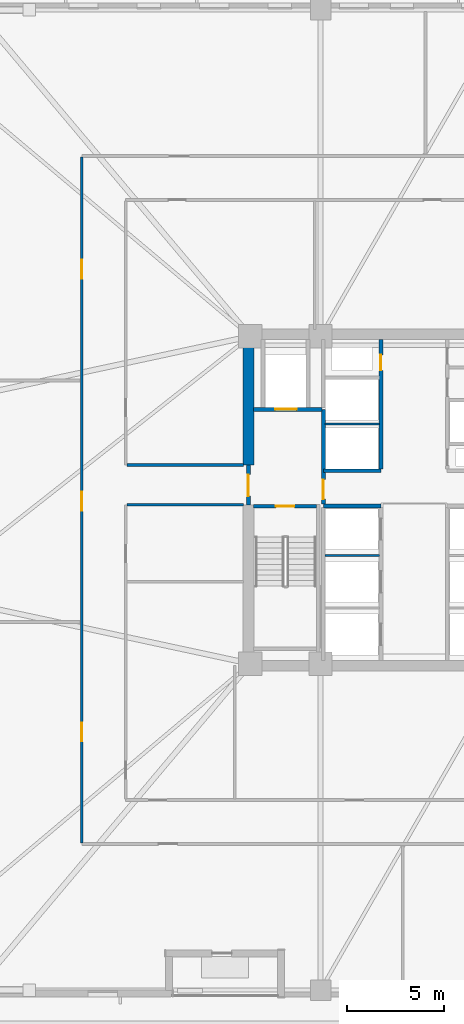
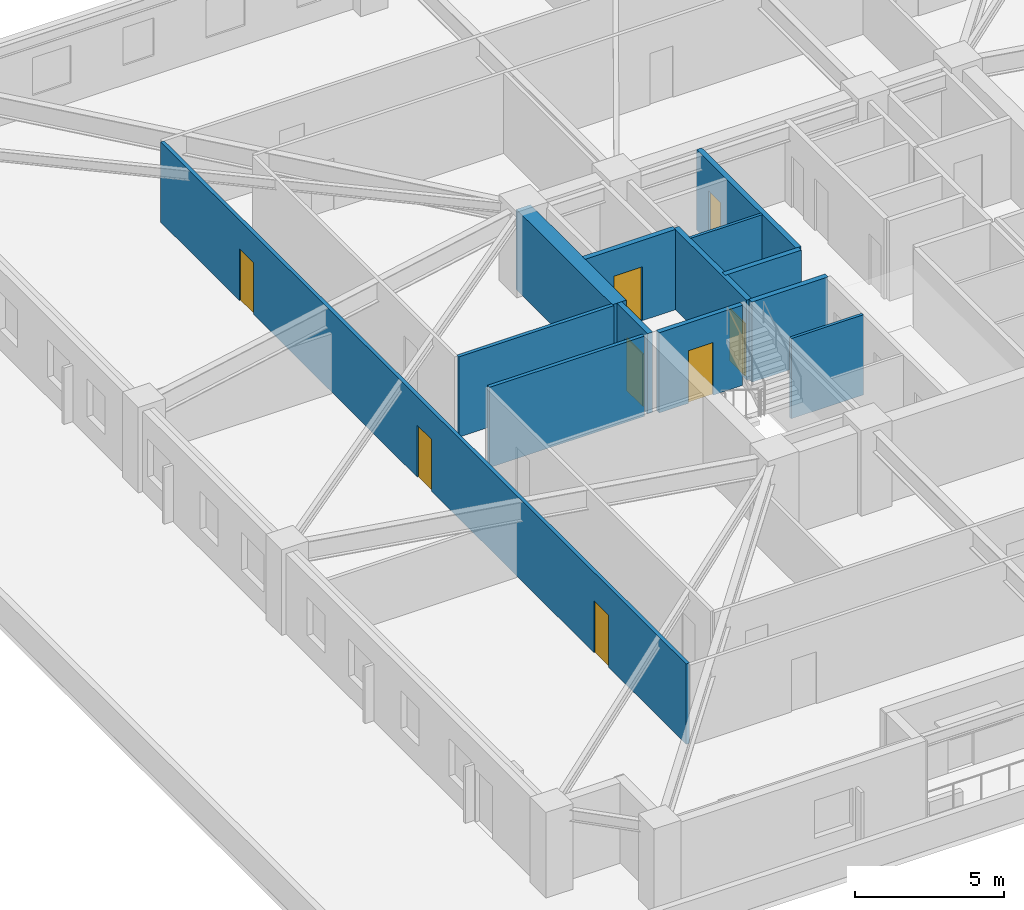
# One storey, part 3 of 12: 13 walls, 8 doors, 8 openings.
"""IFC4 building model written with IfcOpenShell, lengths in metres."""

from ifc_helpers import new_model, si_unit, direction, frame, frame_2d, origin, place, context, subcontext, project, spatial, rectangle, extrude, material, layer, layer_set, type_object, element, fill, save


model = new_model("IFC4")

# Units and contexts
model_context = context("Model", 3, precision=1e-05, world=origin(), true_north=direction((0.0, 1.0)))
body_context = subcontext(model_context, "Body", "Model", "MODEL_VIEW")
ifc_project = project(units=[si_unit("LENGTHUNIT", "METRE"), si_unit("AREAUNIT", "SQUARE_METRE"), si_unit("VOLUMEUNIT", "CUBIC_METRE"), si_unit("PLANEANGLEUNIT", "RADIAN"), si_unit("MASSUNIT", "GRAM", prefix="KILO")], contexts=[model_context])

# Site, building, storey
site_placement = place(None, origin())
site = spatial("IfcSite", under=ifc_project, at=site_placement, CompositionType="ELEMENT")
building_placement = place(site_placement, origin())
building = spatial("IfcBuilding", under=site, at=building_placement, Name="Cairnveth Concourse Tower", CompositionType="ELEMENT")
storey_placement = place(building_placement, frame((0.0, 0.0, 23.5)))
storey = spatial("IfcBuildingStorey", under=building, at=storey_placement, Name="L05", CompositionType="ELEMENT", Elevation=23.5)

# Wall
ifc_material_1 = material(Name="Concrete N80 (80 MPa)", Category="concrete")
ifc_layer_1 = layer(ifc_material_1, 0.550048828125)
ifc_layer_set_1 = layer_set([ifc_layer_1], Name="Concrete N80 (80 MPa)")
wall_type_1 = type_object("IfcWallType", Name="CORE SHEAR WALL 550", PredefinedType="SHEAR", material=ifc_layer_set_1)
wall_1_placement = place(storey_placement, frame((43.5, 40.800048828125, 0.0), z_axis=(0.0, 0.0, 1.0), x_axis=(0.0, 1.0, 0.0)))
element("IfcWall", 1, at=wall_1_placement, inside=storey, type_object=wall_type_1, Name="Core West Shear Wall N L05", PredefinedType="SHEAR", context=body_context, shape_type="SweptSolid", body=[
    extrude(rectangle(XDim=6.43505859375, YDim=0.550048828125, at=frame_2d((3.217529296875, 0.0))), origin(), (0.0, 0.0, 1.0), 3.280029296875),
])

# Wall, opening, door
ifc_material_2 = material(Name="Concrete N50 (50 MPa)", Category="concrete")
ifc_layer_2 = layer(ifc_material_2, 0.179931640625)
ifc_layer_set_2 = layer_set([ifc_layer_2], Name="Concrete N50 (50 MPa)")
wall_type_2 = type_object("IfcWallType", Name="FIRE SHAFT WALL 180", PredefinedType="SOLIDWALL", material=ifc_layer_set_2)
wall_2_placement = place(storey_placement, frame((43.764892578125, 38.68994140625, 0.0), z_axis=(0.0, 0.0, 1.0), x_axis=(1.0, 0.0, 0.0)))
wall_2 = element("IfcWall", 2, at=wall_2_placement, inside=storey, type_object=wall_type_2, Name="Stair ST-1 Shaft Wall NEAR L05", PredefinedType="SOLIDWALL", context=body_context, shape_type="SweptSolid", body=[
    extrude(rectangle(XDim=3.230224609375, YDim=0.179931640625, at=frame_2d((1.615234375, 0.0))), origin(), (0.0, 0.0, 1.0), 3.280029296875),
])
opening_1_placement = place(wall_2_placement, frame((1.139892578125, 0.0, 0.0)))
opening_1 = element("IfcOpeningElement", 3, at=opening_1_placement, cuts=wall_2, Name="Opening ID12", PredefinedType="OPENING", context=body_context, shape_type="SweptSolid", body=[
    extrude(rectangle(XDim=0.949951171875, YDim=2.14990234375, at=frame_2d((0.47509765625, 1.074951171875))), frame((0.0, 0.099853515625, 0.0), z_axis=(0.0, -1.0, 0.0), x_axis=(1.0, 0.0, 0.0)), (0.0, 0.0, 1.0), 0.199951171875),
])
ifc_material_3 = material(Name="Steel Grade 350", Category="steel")
door_type_1 = type_object("IfcDoorType", Name="FIRE STAIR DOOR 950X2150", OperationType="NOTDEFINED", PredefinedType="DOOR", material=ifc_material_3)
door_1_placement = place(opening_1_placement, origin())
door_1 = element("IfcDoor", 4, at=door_1_placement, inside=storey, type_object=door_type_1, Name="Stair ST-1 Fire Door L05", OperationType="SINGLE_SWING_LEFT", OverallHeight=2.14990234375, OverallWidth=0.949951171875, PredefinedType="DOOR", context=body_context, shape_type="SweptSolid", body=[
    extrude(rectangle(XDim=0.949951171875, YDim=2.14990234375, at=frame_2d((0.47509765625, 1.074951171875))), frame((0.0, 0.02490234375, 0.0), z_axis=(0.0, -1.0, 0.0), x_axis=(1.0, 0.0, 0.0)), (0.0, 0.0, 1.0), 0.050048828125),
])
fill(opening_1, door_1)

# Walls
ifc_layer_3 = layer(ifc_material_2, 0.199951171875)
ifc_layer_set_3 = layer_set([ifc_layer_3], Name="Concrete N50 (50 MPa)")
wall_type_3 = type_object("IfcWallType", Name="FIRE SHAFT WALL 200", PredefinedType="SOLIDWALL", material=ifc_layer_set_3)
for number, where, z_axis, x_axis, name in (
    (5, (47.35009765625, 38.699951171875, 0.0), (0.0, 0.0, 1.0), (1.0, 0.0, 0.0), "Interior Wall IW-L05-007"),
    (6, (47.35009765625, 40.5, 0.0), (0.0, 0.0, 1.0), (1.0, 0.0, 0.0), "Interior Wall IW-L05-008"),
):
    element("IfcWall", number, at=place(storey_placement, frame(where, z_axis=z_axis, x_axis=x_axis)), inside=storey, type_object=wall_type_3, Name=name, PredefinedType="SOLIDWALL", context=body_context, shape_type="SweptSolid", body=[
        extrude(rectangle(XDim=2.949951171875, YDim=0.199951171875, at=frame_2d((1.47509765625, 0.0))), origin(), (0.0, 0.0, 1.0), 3.280029296875),
    ])

# Wall, opening, door
wall_3_placement = place(storey_placement, frame((50.300048828125, 40.5849609375, 0.0), z_axis=(0.0, 0.0, 1.0), x_axis=(0.0, 1.0, 0.0)))
wall_3 = element("IfcWall", 7, at=wall_3_placement, inside=storey, type_object=wall_type_3, Name="Interior Wall IW-L05-013", PredefinedType="SOLIDWALL", context=body_context, shape_type="SweptSolid", body=[
    extrude(rectangle(XDim=6.655029296875, YDim=0.199951171875, at=frame_2d((3.32763671875, 0.0))), origin(), (0.0, 0.0, 1.0), 3.280029296875),
])
opening_2_placement = place(wall_3_placement, frame((5.06494140625, 0.0, 0.0)))
opening_2 = element("IfcOpeningElement", 8, at=opening_2_placement, cuts=wall_3, Name="Opening ID24", PredefinedType="OPENING", context=body_context, shape_type="SweptSolid", body=[
    extrude(rectangle(XDim=0.800048828125, YDim=2.080078125, at=frame_2d((0.39990234375, 1.0400390625))), frame((0.0, 0.10986328125, 0.0), z_axis=(0.0, -1.0, 0.0), x_axis=(1.0, 0.0, 0.0)), (0.0, 0.0, 1.0), 0.219970703125),
])
door_type_2 = type_object("IfcDoorType", Name="RISER ACCESS DOOR 800X2100", OperationType="NOTDEFINED", PredefinedType="DOOR", material=ifc_material_3)
door_2_placement = place(opening_2_placement, origin())
door_2 = element("IfcDoor", 9, at=door_2_placement, inside=storey, type_object=door_type_2, Name="NW Electrical Riser Access Door L05", OperationType="SINGLE_SWING_RIGHT", OverallHeight=2.080078125, OverallWidth=0.800048828125, PredefinedType="DOOR", context=body_context, shape_type="SweptSolid", body=[
    extrude(rectangle(XDim=0.800048828125, YDim=2.080078125, at=frame_2d((0.39990234375, 1.0400390625))), frame((0.0, 0.02490234375, 0.0), z_axis=(0.0, -1.0, 0.0), x_axis=(1.0, 0.0, 0.0)), (0.0, 0.0, 1.0), 0.050048828125),
])
fill(opening_2, door_2)

wall_4_placement = place(storey_placement, frame((43.5, 38.75, 0.0), z_axis=(0.0, 0.0, 1.0), x_axis=(0.0, 1.0, 0.0)))
wall_4 = element("IfcWall", 10, at=wall_4_placement, inside=storey, type_object=wall_type_3, Name="Interior Wall IW-L05-015", PredefinedType="SOLIDWALL", context=body_context, shape_type="SweptSolid", body=[
    extrude(rectangle(XDim=2.050048828125, YDim=0.199951171875, at=frame_2d((1.02490234375, 0.0))), origin(), (0.0, 0.0, 1.0), 3.280029296875),
])
opening_3_placement = place(wall_4_placement, frame((0.449951171875, 0.0, 0.0)))
opening_3 = element("IfcOpeningElement", 11, at=opening_3_placement, cuts=wall_4, Name="Opening ID06", PredefinedType="OPENING", context=body_context, shape_type="SweptSolid", body=[
    extrude(rectangle(XDim=1.10009765625, YDim=2.14990234375, at=frame_2d((0.550048828125, 1.074951171875))), frame((0.0, 0.10986328125, 0.0), z_axis=(0.0, -1.0, 0.0), x_axis=(1.0, 0.0, 0.0)), (0.0, 0.0, 1.0), 0.219970703125),
])
door_type_3 = type_object("IfcDoorType", Name="FIRE CORRIDOR DOOR 1100X2150", OperationType="NOTDEFINED", PredefinedType="DOOR", material=ifc_material_3)
door_3_placement = place(opening_3_placement, origin())
door_3 = element("IfcDoor", 12, at=door_3_placement, inside=storey, type_object=door_type_3, Name="West Wing to FF Lobby Door L05", OperationType="SINGLE_SWING_LEFT", OverallHeight=2.14990234375, OverallWidth=1.10009765625, PredefinedType="DOOR", context=body_context, shape_type="SweptSolid", body=[
    extrude(rectangle(XDim=1.10009765625, YDim=2.14990234375, at=frame_2d((0.550048828125, 1.074951171875))), frame((0.0, 0.02490234375, 0.0), z_axis=(0.0, -1.0, 0.0), x_axis=(1.0, 0.0, 0.0)), (0.0, 0.0, 1.0), 0.050048828125),
])
fill(opening_3, door_3)

wall_5_placement = place(storey_placement, frame((47.35009765625, 38.784912109375, 0.0), z_axis=(0.0, 0.0, 1.0), x_axis=(0.0, 1.0, 0.0)))
wall_5 = element("IfcWall", 13, at=wall_5_placement, inside=storey, type_object=wall_type_3, Name="Interior Wall IW-L05-016", PredefinedType="SOLIDWALL", context=body_context, shape_type="SweptSolid", body=[
    extrude(rectangle(XDim=4.864990234375, YDim=0.199951171875, at=frame_2d((2.4326171875, 0.0))), origin(), (0.0, 0.0, 1.0), 3.280029296875),
])
opening_4_placement = place(wall_5_placement, frame((0.264892578125, 0.0, 0.0)))
opening_4 = element("IfcOpeningElement", 14, at=opening_4_placement, cuts=wall_5, Name="Opening ID07", PredefinedType="OPENING", context=body_context, shape_type="SweptSolid", body=[
    extrude(rectangle(XDim=1.0, YDim=2.14990234375, at=frame_2d((0.5, 1.074951171875))), frame((0.0, 0.10986328125, 0.0), z_axis=(0.0, -1.0, 0.0), x_axis=(1.0, 0.0, 0.0)), (0.0, 0.0, 1.0), 0.219970703125),
])
door_type_4 = type_object("IfcDoorType", Name="FIRE CORRIDOR DOOR 1000X2150", OperationType="NOTDEFINED", PredefinedType="DOOR", material=ifc_material_3)
door_4_placement = place(opening_4_placement, origin())
door_4 = element("IfcDoor", 15, at=door_4_placement, inside=storey, type_object=door_type_4, Name="FF Lobby West to Lift Lobby Door L05", OperationType="SINGLE_SWING_RIGHT", OverallHeight=2.14990234375, OverallWidth=1.0, PredefinedType="DOOR", context=body_context, shape_type="SweptSolid", body=[
    extrude(rectangle(XDim=1.0, YDim=2.14990234375, at=frame_2d((0.5, 1.074951171875))), frame((0.0, 0.02490234375, 0.0), z_axis=(0.0, -1.0, 0.0), x_axis=(1.0, 0.0, 0.0)), (0.0, 0.0, 1.0), 0.050048828125),
])
fill(opening_4, door_4)

wall_6_placement = place(storey_placement, frame((43.760009765625, 43.64990234375, 0.0), z_axis=(0.0, 0.0, 1.0), x_axis=(1.0, 0.0, 0.0)))
wall_6 = element("IfcWall", 16, at=wall_6_placement, inside=storey, type_object=wall_type_3, Name="Interior Wall IW-L05-017", PredefinedType="SOLIDWALL", context=body_context, shape_type="SweptSolid", body=[
    extrude(rectangle(XDim=3.5048828125, YDim=0.199951171875, at=frame_2d((1.75244140625, 0.0))), origin(), (0.0, 0.0, 1.0), 3.280029296875),
])
opening_5_placement = place(wall_6_placement, frame((1.110107421875, 0.0, 0.0)))
opening_5 = element("IfcOpeningElement", 17, at=opening_5_placement, cuts=wall_6, Name="Opening LD-1", PredefinedType="OPENING", context=body_context, shape_type="SweptSolid", body=[
    extrude(rectangle(XDim=1.10009765625, YDim=2.199951171875, at=frame_2d((0.550048828125, 1.10009765625))), frame((0.0, 0.10986328125, 0.0), z_axis=(0.0, -1.0, 0.0), x_axis=(1.0, 0.0, 0.0)), (0.0, 0.0, 1.0), 0.219970703125),
])
ifc_material_4 = material(Name="Architectural Bronze Anodised Aluminium 6063-T6", Category="aluminium")
door_type_5 = type_object("IfcDoorType", Name="LIFT LANDING DOOR 1100X2200", OperationType="SLIDING_TO_LEFT", PredefinedType="DOOR", material=ifc_material_4)
door_5_placement = place(opening_5_placement, origin())
door_5 = element("IfcDoor", 18, at=door_5_placement, inside=storey, type_object=door_type_5, Name="Lift FFL1 Landing Door L05", OperationType="SLIDING_TO_LEFT", OverallHeight=2.199951171875, OverallWidth=1.10009765625, PredefinedType="DOOR", context=body_context, shape_type="SweptSolid", body=[
    extrude(rectangle(XDim=1.10009765625, YDim=2.199951171875, at=frame_2d((0.550048828125, 1.10009765625))), frame((0.0, 0.02490234375, 0.0), z_axis=(0.0, -1.0, 0.0), x_axis=(1.0, 0.0, 0.0)), (0.0, 0.0, 1.0), 0.050048828125),
])
fill(opening_5, door_5)

# Wall, openings, doors
ifc_material_5 = material(Name="Gypsum Plasterboard Partition", Category="gypsum")
ifc_layer_4 = layer(ifc_material_5, 0.139892578125)
ifc_layer_set_4 = layer_set([ifc_layer_4], Name="Gypsum Plasterboard Partition")
wall_type_4 = type_object("IfcWallType", Name="GYPSUM STUD PARTITION 140", PredefinedType="PARTITIONING", material=ifc_layer_set_4)
wall_7_placement = place(storey_placement, frame((34.949951171875, 21.405029296875, 0.0), z_axis=(0.0, 0.0, 1.0), x_axis=(0.0, 1.0, 0.0)))
wall_7 = element("IfcWall", 19, at=wall_7_placement, inside=storey, type_object=wall_type_4, Name="Interior Wall IW-L05-040", PredefinedType="PARTITIONING", context=body_context, shape_type="SweptSolid", body=[
    extrude(rectangle(XDim=35.18994140625, YDim=0.139892578125, at=frame_2d((17.594970703125, 0.0))), origin(), (0.0, 0.0, 1.0), 3.280029296875),
])
opening_6_placement = place(wall_7_placement, frame((5.210205078125, 0.0, 0.0)))
opening_6 = element("IfcOpeningElement", 20, at=opening_6_placement, cuts=wall_7, Name="Opening ID11", PredefinedType="OPENING", context=body_context, shape_type="SweptSolid", body=[
    extrude(rectangle(XDim=0.9599609375, YDim=2.1201171875, at=frame_2d((0.47998046875, 1.06005859375))), frame((0.0, 0.079833984375, 0.0), z_axis=(0.0, -1.0, 0.0), x_axis=(1.0, 0.0, 0.0)), (0.0, 0.0, 1.0), 0.159912109375),
])
opening_7_placement = place(wall_7_placement, frame((17.052001953125, 0.0, 0.0)))
opening_7 = element("IfcOpeningElement", 21, at=opening_7_placement, cuts=wall_7, Name="Opening ID11", PredefinedType="OPENING", context=body_context, shape_type="SweptSolid", body=[
    extrude(rectangle(XDim=0.9599609375, YDim=2.1201171875, at=frame_2d((0.47998046875, 1.06005859375))), frame((0.0, 0.079833984375, 0.0), z_axis=(0.0, -1.0, 0.0), x_axis=(1.0, 0.0, 0.0)), (0.0, 0.0, 1.0), 0.159912109375),
])
opening_8_placement = place(wall_7_placement, frame((28.956787109375, 0.0, 0.0)))
opening_8 = element("IfcOpeningElement", 22, at=opening_8_placement, cuts=wall_7, Name="Opening ID11", PredefinedType="OPENING", context=body_context, shape_type="SweptSolid", body=[
    extrude(rectangle(XDim=0.9599609375, YDim=2.1201171875, at=frame_2d((0.47998046875, 1.06005859375))), frame((0.0, 0.079833984375, 0.0), z_axis=(0.0, -1.0, 0.0), x_axis=(1.0, 0.0, 0.0)), (0.0, 0.0, 1.0), 0.159912109375),
])
ifc_material_6 = material(Name="Solid Core Hardwood Timber Leaf", Category="wood")
door_type_6 = type_object("IfcDoorType", Name="INTERIOR SINGLE DOOR 960X2150", OperationType="NOTDEFINED", PredefinedType="DOOR", material=ifc_material_6)
door_6_placement = place(opening_6_placement, origin())
door_6 = element("IfcDoor", 23, at=door_6_placement, inside=storey, type_object=door_type_6, Name="Office Door L05-W1", OperationType="SINGLE_SWING_LEFT", OverallHeight=2.1201171875, OverallWidth=0.9599609375, PredefinedType="DOOR", context=body_context, shape_type="SweptSolid", body=[
    extrude(rectangle(XDim=0.9599609375, YDim=2.1201171875, at=frame_2d((0.47998046875, 1.06005859375))), frame((0.0, 0.02490234375, 0.0), z_axis=(0.0, -1.0, 0.0), x_axis=(1.0, 0.0, 0.0)), (0.0, 0.0, 1.0), 0.050048828125),
])
fill(opening_6, door_6)
door_7_placement = place(opening_7_placement, origin())
door_7 = element("IfcDoor", 24, at=door_7_placement, inside=storey, type_object=door_type_6, Name="Office Door L05-W2", OperationType="SINGLE_SWING_RIGHT", OverallHeight=2.1201171875, OverallWidth=0.9599609375, PredefinedType="DOOR", context=body_context, shape_type="SweptSolid", body=[
    extrude(rectangle(XDim=0.9599609375, YDim=2.1201171875, at=frame_2d((0.47998046875, 1.06005859375))), frame((0.0, 0.02490234375, 0.0), z_axis=(0.0, -1.0, 0.0), x_axis=(1.0, 0.0, 0.0)), (0.0, 0.0, 1.0), 0.050048828125),
])
fill(opening_7, door_7)
door_8_placement = place(opening_8_placement, origin())
door_8 = element("IfcDoor", 25, at=door_8_placement, inside=storey, type_object=door_type_6, Name="Office Door L05-W3", OperationType="SINGLE_SWING_LEFT", OverallHeight=2.1201171875, OverallWidth=0.9599609375, PredefinedType="DOOR", context=body_context, shape_type="SweptSolid", body=[
    extrude(rectangle(XDim=0.9599609375, YDim=2.1201171875, at=frame_2d((0.47998046875, 1.06005859375))), frame((0.0, 0.02490234375, 0.0), z_axis=(0.0, -1.0, 0.0), x_axis=(1.0, 0.0, 0.0)), (0.0, 0.0, 1.0), 0.050048828125),
])
fill(opening_8, door_8)

# Walls
for number, where, z_axis, x_axis, name in (
    (26, (37.2548828125, 38.75, 0.0), (0.0, 0.0, 1.0), (1.0, 0.0, 0.0), "Interior Wall IW-L05-046"),
    (27, (37.2548828125, 40.800048828125, 0.0), (0.0, 0.0, 1.0), (1.0, 0.0, 0.0), "Interior Wall IW-L05-047"),
):
    element("IfcWall", number, at=place(storey_placement, frame(where, z_axis=z_axis, x_axis=x_axis)), inside=storey, type_object=wall_type_4, Name=name, PredefinedType="PARTITIONING", context=body_context, shape_type="SweptSolid", body=[
        extrude(rectangle(XDim=5.985107421875, YDim=0.139892578125, at=frame_2d((2.99267578125, 0.0))), origin(), (0.0, 0.0, 1.0), 3.280029296875),
    ])
ifc_layer_5 = layer(ifc_material_5, 0.110107421875)
ifc_layer_set_5 = layer_set([ifc_layer_5], Name="Gypsum Plasterboard Partition")
wall_type_5 = type_object("IfcWallType", Name="SHAFT DIVIDER WALL 140", PredefinedType="PARTITIONING", material=ifc_layer_set_5)
wall_8_placement = place(storey_placement, frame((47.425048828125, 36.14990234375, 0.0), z_axis=(0.0, 0.0, 1.0), x_axis=(1.0, 0.0, 0.0)))
element("IfcWall", 28, at=wall_8_placement, inside=storey, type_object=wall_type_5, Name="Interior Wall IW-L05-027", PredefinedType="PARTITIONING", context=body_context, shape_type="SweptSolid", body=[
    extrude(rectangle(XDim=2.7900390625, YDim=0.110107421875, at=frame_2d((1.39501953125, 0.0))), origin(), (0.0, 0.0, 1.0), 3.280029296875),
])
wall_9_placement = place(storey_placement, frame((47.43505859375, 42.89990234375, 0.0), z_axis=(0.0, 0.0, 1.0), x_axis=(1.0, 0.0, 0.0)))
element("IfcWall", 29, at=wall_9_placement, inside=storey, type_object=wall_type_5, Name="Interior Wall IW-L05-032", PredefinedType="PARTITIONING", context=body_context, shape_type="SweptSolid", body=[
    extrude(rectangle(XDim=2.780029296875, YDim=0.110107421875, at=frame_2d((1.39013671875, 0.0))), origin(), (0.0, 0.0, 1.0), 3.280029296875),
])

save(model, "model.ifc")
